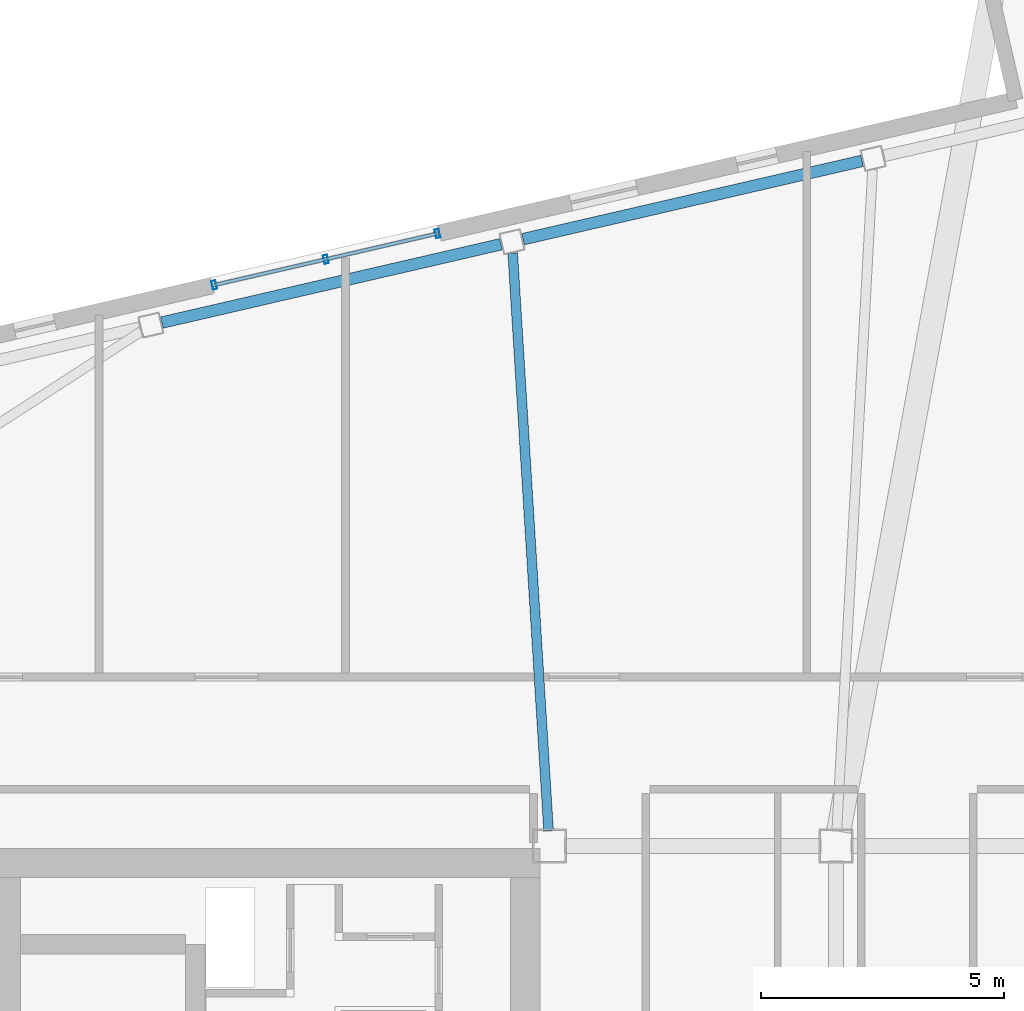
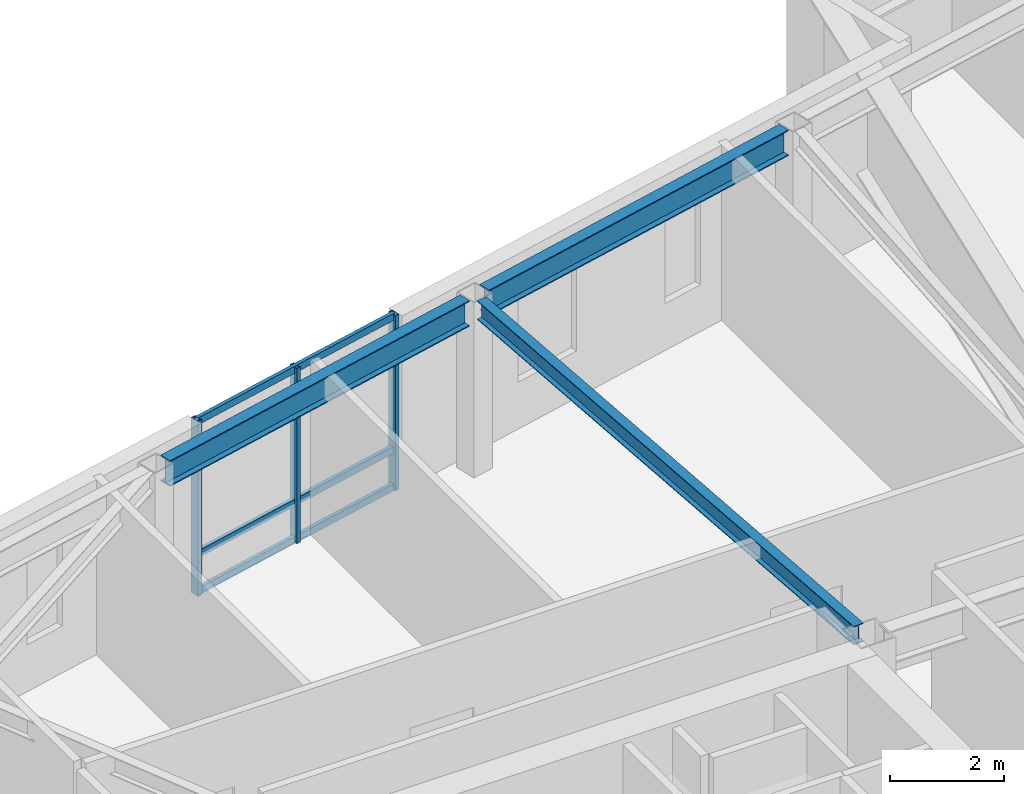
# One storey, part 13 of 22: 6 members, 3 beams, 1 element without a shape of its own.
"""IFC4 building model written with IfcOpenShell, lengths in metres."""

from ifc_helpers import new_model, si_unit, direction, frame, origin, origin_2d, place, context, subcontext, project, spatial, hollow_rectangle, i_section, extrude, material, layer, layer_set, material_profile, profile_set, type_object, element, aggregate, save


model = new_model("IFC4")

# Units and contexts
model_context = context("Model", 3, precision=1e-05, world=origin(), true_north=direction((0.0, 1.0)))
body_context = subcontext(model_context, "Body", "Model", "MODEL_VIEW")
ifc_project = project(units=[si_unit("LENGTHUNIT", "METRE"), si_unit("AREAUNIT", "SQUARE_METRE"), si_unit("VOLUMEUNIT", "CUBIC_METRE"), si_unit("PLANEANGLEUNIT", "RADIAN"), si_unit("MASSUNIT", "GRAM", prefix="KILO")], contexts=[model_context])

# Site, building, storey
site_placement = place(None, origin())
site = spatial("IfcSite", under=ifc_project, at=site_placement, CompositionType="ELEMENT")
building_placement = place(site_placement, origin())
building = spatial("IfcBuilding", under=site, at=building_placement, Name="Tavrogorsk Clinical Tower", CompositionType="ELEMENT")
storey_placement = place(building_placement, frame((0.0, 0.0, 313.0)))
storey = spatial("IfcBuildingStorey", under=building, at=storey_placement, Name="L73", CompositionType="ELEMENT", Elevation=313.0)

# Curtain wall, members
ifc_material_1 = material(Name="Anodised aluminium and triple IGU glazing", Category="aluminium")
ifc_layer = layer(ifc_material_1, 0.179931640625)
ifc_layer_set = layer_set([ifc_layer], Name="Anodised aluminium and triple IGU glazing")
curtain_wall_type = type_object("IfcCurtainWallType", Name="CW2_NorthSlot", PredefinedType="NOTDEFINED", material=ifc_layer_set)
curtain_wall_placement = place(storey_placement, origin())
curtain_wall = element("IfcCurtainWall", 1, at=curtain_wall_placement, inside=storey, type_object=curtain_wall_type, Name="L73 Curtain Wall CW-L73-N-SLOT-1", PredefinedType="NOTDEFINED")
ifc_material_2 = material(Name="Anodised aluminium alloy AW-6060", Category="aluminium")
ifc_material_profile_1 = material_profile(ifc_material_2, hollow_rectangle(XDim=0.090087890625, YDim=0.179931640625, WallThickness=0.00634765625, at=origin_2d()), Name="RHS-180x90x6.3")
ifc_profile_set_1 = profile_set([ifc_material_profile_1], Name="Anodised aluminium alloy AW-6060")
member_type_1 = type_object("IfcMemberType", Name="CwMullion_180x90", PredefinedType="MULLION", material=ifc_profile_set_1)
member_1_placement = place(storey_placement, frame((-12.608154296875, 18.9658203125, 0.0), z_axis=(0.0, 0.0, 1.0), x_axis=(-0.974370057377, -0.224951086434, 0.0)))
member_1 = element("IfcMember", 2, at=member_1_placement, type_object=member_type_1, Name="CW-L73-N-SLOT-1 Mullion 1", PredefinedType="MULLION", context=body_context, shape_type="SweptSolid", body=[
    extrude(hollow_rectangle(XDim=0.090087890625, YDim=0.179931640625, WallThickness=0.00634765625, at=origin_2d()), origin(), (0.0, 0.0, 1.0), 3.739990234375),
])
member_2_placement = place(storey_placement, frame((-14.90673828125, 18.435302734375, 0.0), z_axis=(0.0, 0.0, 1.0), x_axis=(-0.974370057377, -0.224951086434, 0.0)))
member_2 = element("IfcMember", 3, at=member_2_placement, type_object=member_type_1, Name="CW-L73-N-SLOT-1 Mullion 2", PredefinedType="MULLION", context=body_context, shape_type="SweptSolid", body=[
    extrude(hollow_rectangle(XDim=0.090087890625, YDim=0.179931640625, WallThickness=0.00634765625, at=origin_2d()), origin(), (0.0, 0.0, 1.0), 3.739990234375),
])
member_3_placement = place(storey_placement, frame((-17.205322265625, 17.904541015625, 0.0), z_axis=(0.0, 0.0, 1.0), x_axis=(-0.974370057377, -0.224951086434, 0.0)))
member_3 = element("IfcMember", 4, at=member_3_placement, type_object=member_type_1, Name="CW-L73-N-SLOT-1 Mullion 3", PredefinedType="MULLION", context=body_context, shape_type="SweptSolid", body=[
    extrude(hollow_rectangle(XDim=0.090087890625, YDim=0.179931640625, WallThickness=0.00634765625, at=origin_2d()), origin(), (0.0, 0.0, 1.0), 3.739990234375),
])
ifc_material_3 = material(Name="Anodised aluminium alloy AW-6060", Category="aluminium")
ifc_material_profile_2 = material_profile(ifc_material_3, hollow_rectangle(XDim=0.074951171875, YDim=0.14990234375, WallThickness=0.0048828125, at=origin_2d()), Name="RHS-150x75x5")
ifc_profile_set_2 = profile_set([ifc_material_profile_2], Name="Anodised aluminium alloy AW-6060")
member_type_2 = type_object("IfcMemberType", Name="CwTransom_150x75", PredefinedType="USERDEFINED", material=ifc_profile_set_2)
member_4_placement = place(storey_placement, frame((-12.608154296875, 18.9658203125, 0.050048828125), z_axis=(-0.974372877948, -0.22493886885, 0.0), x_axis=(0.22493886885, -0.974372877948, 0.0)))
member_4 = element("IfcMember", 5, at=member_4_placement, type_object=member_type_2, Name="CW-L73-N-SLOT-1 Transom 1", ObjectType="TRANSOM", PredefinedType="USERDEFINED", context=body_context, shape_type="SweptSolid", body=[
    extrude(hollow_rectangle(XDim=0.074951171875, YDim=0.14990234375, WallThickness=0.0048828125, at=origin_2d()), origin(), (0.0, 0.0, 1.0), 4.718017578125),
])
member_5_placement = place(storey_placement, frame((-12.608154296875, 18.9658203125, 0.85009765625), z_axis=(-0.974372877948, -0.22493886885, 0.0), x_axis=(0.22493886885, -0.974372877948, 0.0)))
member_5 = element("IfcMember", 6, at=member_5_placement, type_object=member_type_2, Name="CW-L73-N-SLOT-1 Transom 2", ObjectType="TRANSOM", PredefinedType="USERDEFINED", context=body_context, shape_type="SweptSolid", body=[
    extrude(hollow_rectangle(XDim=0.074951171875, YDim=0.14990234375, WallThickness=0.0048828125, at=origin_2d()), origin(), (0.0, 0.0, 1.0), 4.718017578125),
])
member_6_placement = place(storey_placement, frame((-12.608154296875, 18.9658203125, 3.68994140625), z_axis=(-0.974372877948, -0.22493886885, 0.0), x_axis=(0.22493886885, -0.974372877948, 0.0)))
member_6 = element("IfcMember", 7, at=member_6_placement, type_object=member_type_2, Name="CW-L73-N-SLOT-1 Transom 3", ObjectType="TRANSOM", PredefinedType="USERDEFINED", context=body_context, shape_type="SweptSolid", body=[
    extrude(hollow_rectangle(XDim=0.074951171875, YDim=0.14990234375, WallThickness=0.0048828125, at=origin_2d()), origin(), (0.0, 0.0, 1.0), 4.718017578125),
])
aggregate(curtain_wall, [member_1, member_2, member_3, member_4, member_5, member_6])

# Beams
ifc_material_4 = material(Name="Structural steel S355", Category="steel")
ifc_material_profile_3 = material_profile(ifc_material_4, i_section(OverallWidth=0.199951171875, OverallDepth=0.39990234375, WebThickness=0.010498046875, FlangeThickness=0.01611328125, at=origin_2d()), Name="B-400x200x10.5x16")
ifc_profile_set_3 = profile_set([ifc_material_profile_3], Name="Structural steel S355")
beam_type_1 = type_object("IfcBeamType", Name="FloorBeam_B400", PredefinedType="BEAM", material=ifc_profile_set_3)
beam_placement = place(storey_placement, frame((-10.319091796875, 6.659423828125, 3.5400390625), z_axis=(-0.06197688672, 0.998077584916, 0.0), x_axis=(-0.998077584916, -0.06197688672, 0.0)))
element("IfcBeam", 8, at=beam_placement, inside=storey, type_object=beam_type_1, Name="L73 Radial Floor Beam N5", PredefinedType="BEAM", context=body_context, shape_type="SweptSolid", body=[
    extrude(i_section(OverallWidth=0.199951171875, OverallDepth=0.39990234375, WebThickness=0.010498046875, FlangeThickness=0.01611328125, at=origin_2d()), origin(), (0.0, 0.0, 1.0), 11.927978515625),
])
ifc_material_5 = material(Name="Structural steel S390", Category="steel")
ifc_material_profile_4 = material_profile(ifc_material_5, i_section(OverallWidth=0.239990234375, OverallDepth=0.550048828125, WebThickness=0.013916015625, FlangeThickness=0.02197265625, at=origin_2d()), Name="B-550x240x14x22")
ifc_profile_set_4 = profile_set([ifc_material_profile_4], Name="Structural steel S390")
beam_type_2 = type_object("IfcBeamType", Name="SpandrelBeam_B550", PredefinedType="SPANDREL", material=ifc_profile_set_4)
for number, where, z_axis, x_axis, name in (
    (9, (-3.861328125, 20.4619140625, 3.465087890625), (-0.974367655018, -0.224961491939, 0.0), (0.224961491939, -0.974367655018, 0.0), "L73 Perimeter Spandrel N4-N5"),
    (10, (-11.2998046875, 18.74462890625, 3.465087890625), (-0.974367655018, -0.224961491939, 0.0), (0.224961491939, -0.974367655018, 0.0), "L73 Perimeter Spandrel N5-N6"),
):
    element("IfcBeam", number, at=place(storey_placement, frame(where, z_axis=z_axis, x_axis=x_axis)), inside=storey, type_object=beam_type_2, Name=name, PredefinedType="SPANDREL", context=body_context, shape_type="SweptSolid", body=[
        extrude(i_section(OverallWidth=0.239990234375, OverallDepth=0.550048828125, WebThickness=0.013916015625, FlangeThickness=0.02197265625, at=origin_2d()), origin(), (0.0, 0.0, 1.0), 7.168212890625),
    ])

save(model, "model.ifc")
